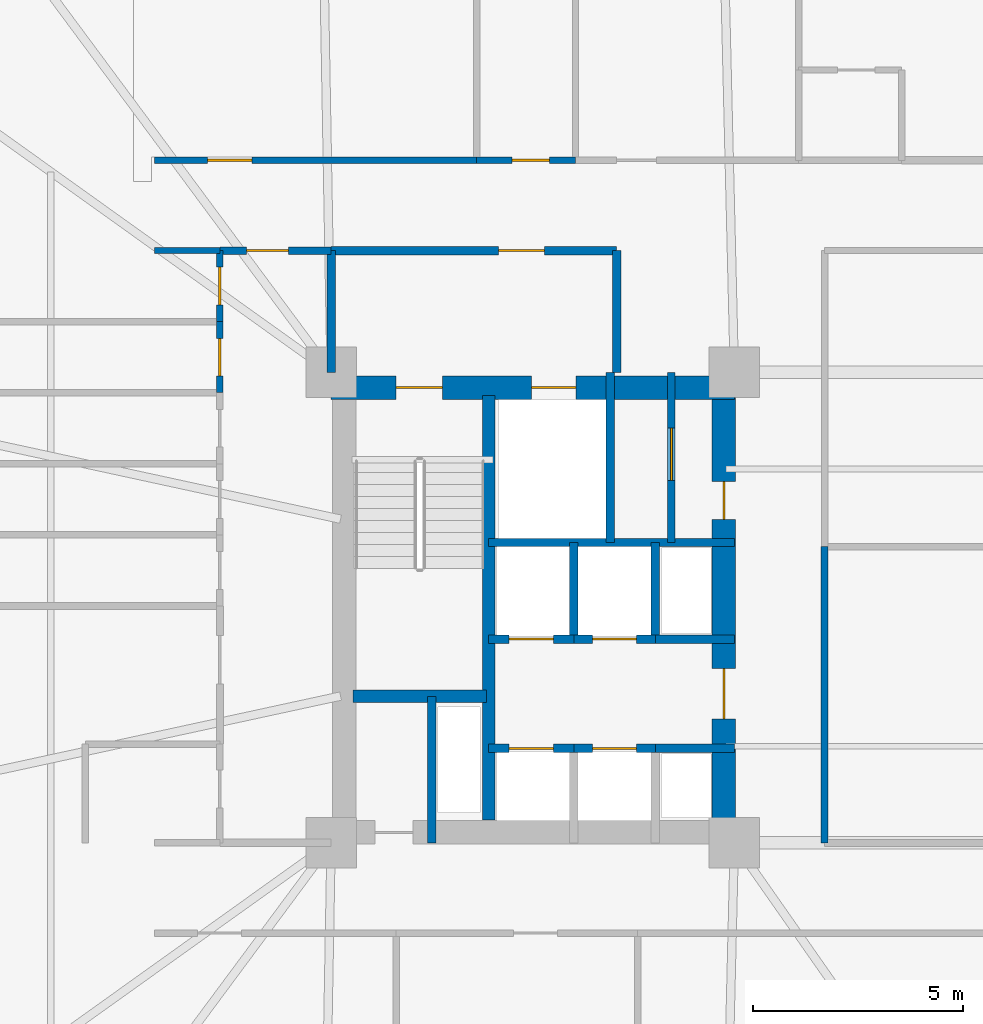
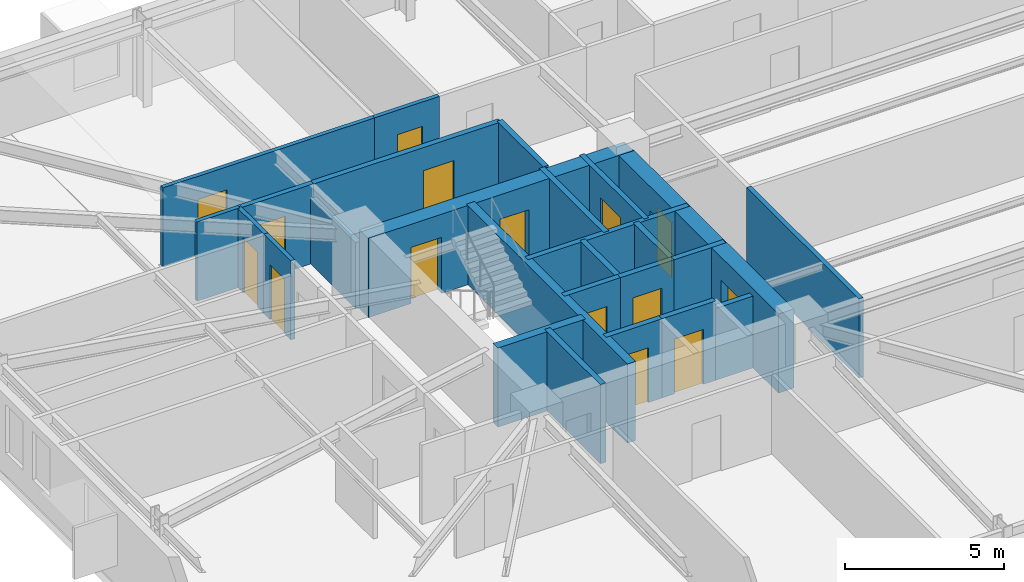
# One storey, part 19 of 26: 26 walls, 15 doors, 15 openings.
"""IFC4 building model written with IfcOpenShell, lengths in metres."""

from ifc_helpers import new_model, si_unit, direction, frame, frame_2d, origin, place, context, subcontext, project, spatial, rectangle, extrude, material, layer, layer_set, type_object, element, fill, save


model = new_model("IFC4")

# Units and contexts
model_context = context("Model", 3, precision=1e-05, world=origin(), true_north=direction((0.0, 1.0)))
body_context = subcontext(model_context, "Body", "Model", "MODEL_VIEW")
ifc_project = project(units=[si_unit("LENGTHUNIT", "METRE"), si_unit("AREAUNIT", "SQUARE_METRE"), si_unit("VOLUMEUNIT", "CUBIC_METRE"), si_unit("PLANEANGLEUNIT", "RADIAN"), si_unit("MASSUNIT", "GRAM", prefix="KILO")], contexts=[model_context])

# Site, building, storey
site_placement = place(None, origin())
site = spatial("IfcSite", under=ifc_project, at=site_placement, CompositionType="ELEMENT")
building_placement = place(site_placement, origin())
building = spatial("IfcBuilding", under=site, at=building_placement, Name="Qobustan Lattice House", CompositionType="ELEMENT")
storey_placement = place(building_placement, frame((0.0, 0.0, 47.10009765625)))
storey = spatial("IfcBuildingStorey", under=building, at=storey_placement, Name="L12", CompositionType="ELEMENT", Elevation=47.10009765625)

# Wall, openings, doors
ifc_material_1 = material(Name="Concrete C60/75", Category="concrete")
ifc_layer_1 = layer(ifc_material_1, 0.56005859375)
ifc_layer_set_1 = layer_set([ifc_layer_1], Name="Concrete C60/75")
wall_type_1 = type_object("IfcWallType", Name="WAL-CORE-600", PredefinedType="SHEAR", material=ifc_layer_set_1)
wall_1_placement = place(storey_placement, frame((-18.800048828125, 5.239990234375, 0.0), z_axis=(0.0, 0.0, 1.0), x_axis=(1.0, 0.0, 0.0)))
wall_1 = element("IfcWall", 1, at=wall_1_placement, inside=storey, type_object=wall_type_1, Name="L12 split-core shear wall CW-N", PredefinedType="SHEAR", context=body_context, shape_type="SweptSolid", body=[
    extrude(rectangle(XDim=9.60009765625, YDim=0.56005859375, at=frame_2d((4.800048828125, 0.0))), origin(), (0.0, 0.0, 1.0), 3.034912109375),
])
opening_1_placement = place(wall_1_placement, frame((1.550048828125, 0.0, 0.0)))
opening_1 = element("IfcOpeningElement", 2, at=opening_1_placement, cuts=wall_1, Name="Opening SD-01", PredefinedType="OPENING", context=body_context, shape_type="SweptSolid", body=[
    extrude(rectangle(XDim=1.10009765625, YDim=2.14990234375, at=frame_2d((0.550048828125, 1.074951171875))), frame((0.0, 0.2900390625, 0.0), z_axis=(0.0, -1.0, 0.0), x_axis=(1.0, 0.0, 0.0)), (0.0, 0.0, 1.0), 0.580078125),
])
opening_2_placement = place(wall_1_placement, frame((4.77490234375, 0.0, 0.0)))
opening_2 = element("IfcOpeningElement", 3, at=opening_2_placement, cuts=wall_1, Name="Opening LD-01", PredefinedType="OPENING", context=body_context, shape_type="SweptSolid", body=[
    extrude(rectangle(XDim=1.050048828125, YDim=2.10009765625, at=frame_2d((0.52490234375, 1.050048828125))), frame((0.0, 0.2900390625, 0.0), z_axis=(0.0, -1.0, 0.0), x_axis=(1.0, 0.0, 0.0)), (0.0, 0.0, 1.0), 0.580078125),
])
ifc_material_2 = material(Name="Persian walnut timber and steel frame door", Category="steel")
door_type_1 = type_object("IfcDoorType", Name="DOR-LIFT-LD-1050x2100", OperationType="NOTDEFINED", PredefinedType="DOOR", material=ifc_material_2)
door_1_placement = place(opening_2_placement, origin())
door_1 = element("IfcDoor", 4, at=door_1_placement, inside=storey, type_object=door_type_1, Name="L12 firefighting lift FF-W landing door", OperationType="DOUBLE_DOOR_SLIDING", OverallHeight=2.10009765625, OverallWidth=1.050048828125, PredefinedType="DOOR", context=body_context, shape_type="SweptSolid", body=[
    extrude(rectangle(XDim=1.050048828125, YDim=2.10009765625, at=frame_2d((0.52490234375, 1.050048828125))), frame((0.0, 0.02490234375, 0.0), z_axis=(0.0, -1.0, 0.0), x_axis=(1.0, 0.0, 0.0)), (0.0, 0.0, 1.0), 0.050048828125),
])
fill(opening_2, door_1)
ifc_material_3 = material(Name="Persian walnut timber and steel frame door", Category="steel")
door_type_2 = type_object("IfcDoorType", Name="DOR-STAIR-FD-1100x2150", OperationType="NOTDEFINED", PredefinedType="DOOR", material=ifc_material_3)
door_2_placement = place(opening_1_placement, origin())
door_2 = element("IfcDoor", 5, at=door_2_placement, inside=storey, type_object=door_type_2, Name="L12 exit stair ST-W1 fire door", OperationType="SINGLE_SWING_RIGHT", OverallHeight=2.14990234375, OverallWidth=1.10009765625, PredefinedType="DOOR", context=body_context, shape_type="SweptSolid", body=[
    extrude(rectangle(XDim=1.10009765625, YDim=2.14990234375, at=frame_2d((0.550048828125, 1.074951171875))), frame((0.0, 0.02490234375, 0.0), z_axis=(0.0, -1.0, 0.0), x_axis=(1.0, 0.0, 0.0)), (0.0, 0.0, 1.0), 0.050048828125),
])
fill(opening_1, door_2)

wall_2_placement = place(storey_placement, frame((-9.449951171875, -5.050048828125, 0.0), z_axis=(0.0, 0.0, 1.0), x_axis=(0.0, 1.0, 0.0)))
wall_2 = element("IfcWall", 6, at=wall_2_placement, inside=storey, type_object=wall_type_1, Name="L12 split-core shear wall CW-E", PredefinedType="SHEAR", context=body_context, shape_type="SweptSolid", body=[
    extrude(rectangle(XDim=10.10009765625, YDim=0.56005859375, at=frame_2d((5.050048828125, 0.0))), origin(), (0.0, 0.0, 1.0), 3.034912109375),
])
opening_3_placement = place(wall_2_placement, frame((7.14990234375, 0.0, 0.0)))
opening_3 = element("IfcOpeningElement", 7, at=opening_3_placement, cuts=wall_2, Name="Opening RD-01", PredefinedType="OPENING", context=body_context, shape_type="SweptSolid", body=[
    extrude(rectangle(XDim=0.89990234375, YDim=2.10009765625, at=frame_2d((0.449951171875, 1.050048828125))), frame((0.0, 0.2900390625, 0.0), z_axis=(0.0, -1.0, 0.0), x_axis=(1.0, 0.0, 0.0)), (0.0, 0.0, 1.0), 0.580078125),
])
opening_4_placement = place(wall_2_placement, frame((2.39990234375, 0.0, 0.0)))
opening_4 = element("IfcOpeningElement", 8, at=opening_4_placement, cuts=wall_2, Name="Opening FD-01", PredefinedType="OPENING", context=body_context, shape_type="SweptSolid", body=[
    extrude(rectangle(XDim=1.199951171875, YDim=2.14990234375, at=frame_2d((0.60009765625, 1.074951171875))), frame((0.0, 0.2900390625, 0.0), z_axis=(0.0, -1.0, 0.0), x_axis=(1.0, 0.0, 0.0)), (0.0, 0.0, 1.0), 0.580078125),
])
ifc_material_4 = material(Name="Persian walnut timber and steel frame door", Category="steel")
door_type_3 = type_object("IfcDoorType", Name="DOR-LOBBY-FD-1200x2150", OperationType="NOTDEFINED", PredefinedType="DOOR", material=ifc_material_4)
door_3_placement = place(opening_4_placement, origin())
door_3 = element("IfcDoor", 9, at=door_3_placement, inside=storey, type_object=door_type_3, Name="L12 West passenger lift lobby fire door", OperationType="SINGLE_SWING_LEFT", OverallHeight=2.14990234375, OverallWidth=1.199951171875, PredefinedType="DOOR", context=body_context, shape_type="SweptSolid", body=[
    extrude(rectangle(XDim=1.199951171875, YDim=2.14990234375, at=frame_2d((0.60009765625, 1.074951171875))), frame((0.0, 0.02490234375, 0.0), z_axis=(0.0, -1.0, 0.0), x_axis=(1.0, 0.0, 0.0)), (0.0, 0.0, 1.0), 0.050048828125),
])
fill(opening_4, door_3)
ifc_material_5 = material(Name="Persian walnut timber and steel frame door", Category="steel")
door_type_4 = type_object("IfcDoorType", Name="DOR-RISER-FD-900x2100", OperationType="NOTDEFINED", PredefinedType="DOOR", material=ifc_material_5)
door_4_placement = place(opening_3_placement, origin())
door_4 = element("IfcDoor", 10, at=door_4_placement, inside=storey, type_object=door_type_4, Name="L12 Data comms closet fire door", OperationType="SINGLE_SWING_RIGHT", OverallHeight=2.10009765625, OverallWidth=0.89990234375, PredefinedType="DOOR", context=body_context, shape_type="SweptSolid", body=[
    extrude(rectangle(XDim=0.89990234375, YDim=2.10009765625, at=frame_2d((0.449951171875, 1.050048828125))), frame((0.0, 0.02490234375, 0.0), z_axis=(0.0, -1.0, 0.0), x_axis=(1.0, 0.0, 0.0)), (0.0, 0.0, 1.0), 0.050048828125),
])
fill(opening_3, door_4)

# Walls
ifc_material_6 = material(Name="Concrete C50/60", Category="concrete")
ifc_layer_2 = layer(ifc_material_6, 0.280029296875)
ifc_layer_set_2 = layer_set([ifc_layer_2], Name="Concrete C50/60")
wall_type_2 = type_object("IfcWallType", Name="WAL-CORE-SPINE-280", PredefinedType="SHEAR", material=ifc_layer_set_2)
wall_3_placement = place(storey_placement, frame((-15.050048828125, -5.050048828125, 0.0), z_axis=(0.0, 0.0, 1.0), x_axis=(0.0, 1.0, 0.0)))
element("IfcWall", 11, at=wall_3_placement, inside=storey, type_object=wall_type_2, Name="L12 split-core shear wall CW-M", PredefinedType="SHEAR", context=body_context, shape_type="SweptSolid", body=[
    extrude(rectangle(XDim=10.10009765625, YDim=0.300048828125, at=frame_2d((5.050048828125, 0.0))), origin(), (0.0, 0.0, 1.0), 3.034912109375),
])
wall_4_placement = place(storey_placement, frame((-18.280029296875, -2.110107421875, 0.0), z_axis=(0.0, 0.0, 1.0), x_axis=(1.0, 0.0, 0.0)))
element("IfcWall", 12, at=wall_4_placement, inside=storey, type_object=wall_type_2, Name="L12 split-core shear wall CW-ST", PredefinedType="SHEAR", context=body_context, shape_type="SweptSolid", body=[
    extrude(rectangle(XDim=3.179931640625, YDim=0.300048828125, at=frame_2d((1.58984375, 0.0))), origin(), (0.0, 0.0, 1.0), 3.034912109375),
])

# Wall, opening, door
ifc_material_7 = material(Name="Gypsum fireboard acoustic partition", Category="gypsum")
ifc_layer_3 = layer(ifc_material_7, 0.179931640625)
ifc_layer_set_3 = layer_set([ifc_layer_3], Name="Gypsum fireboard acoustic partition")
wall_type_3 = type_object("IfcWallType", Name="WAL-FIRE-180", PredefinedType="PARTITIONING", material=ifc_layer_set_3)
wall_5_placement = place(storey_placement, frame((-10.699951171875, 5.60009765625, 0.0), z_axis=(0.0, 0.0, 1.0), x_axis=(0.0, -1.0, 0.0)))
wall_5 = element("IfcWall", 13, at=wall_5_placement, inside=storey, type_object=wall_type_3, Name="L12 interior partition 6", PredefinedType="PARTITIONING", context=body_context, shape_type="SweptSolid", body=[
    extrude(rectangle(XDim=4.050048828125, YDim=0.179931640625, at=frame_2d((2.02490234375, 0.0))), origin(), (0.0, 0.0, 1.0), 3.034912109375),
])
opening_5_placement = place(wall_5_placement, frame((1.324951171875, 0.0, 0.0)))
opening_5 = element("IfcOpeningElement", 14, at=opening_5_placement, cuts=wall_5, Name="Opening FD-03", PredefinedType="OPENING", context=body_context, shape_type="SweptSolid", body=[
    extrude(rectangle(XDim=1.25, YDim=2.199951171875, at=frame_2d((0.625, 1.10009765625))), frame((0.0, 0.099853515625, 0.0), z_axis=(0.0, -1.0, 0.0), x_axis=(1.0, 0.0, 0.0)), (0.0, 0.0, 1.0), 0.199951171875),
])
ifc_material_8 = material(Name="Persian walnut timber and steel frame door", Category="steel")
door_type_5 = type_object("IfcDoorType", Name="DOR-PLANT-1250x2200", OperationType="NOTDEFINED", PredefinedType="DOOR", material=ifc_material_8)
door_5_placement = place(opening_5_placement, origin())
door_5 = element("IfcDoor", 15, at=door_5_placement, inside=storey, type_object=door_type_5, Name="L12 Data comms closet to Linen store door", OperationType="SINGLE_SWING_LEFT", OverallHeight=2.199951171875, OverallWidth=1.25, PredefinedType="DOOR", context=body_context, shape_type="SweptSolid", body=[
    extrude(rectangle(XDim=1.25, YDim=2.199951171875, at=frame_2d((0.625, 1.10009765625))), frame((0.0, 0.02490234375, 0.0), z_axis=(0.0, -1.0, 0.0), x_axis=(1.0, 0.0, 0.0)), (0.0, 0.0, 1.0), 0.050048828125),
])
fill(opening_5, door_5)

wall_6_placement = place(storey_placement, frame((-18.800048828125, 8.5, 0.0), z_axis=(0.0, 0.0, 1.0), x_axis=(-1.0, 0.0, 0.0)))
wall_6 = element("IfcWall", 16, at=wall_6_placement, inside=storey, type_object=wall_type_3, Name="L12 interior partition 38", PredefinedType="PARTITIONING", context=body_context, shape_type="SweptSolid", body=[
    extrude(rectangle(XDim=2.64990234375, YDim=0.179931640625, at=frame_2d((1.324951171875, 0.0))), origin(), (0.0, 0.0, 1.0), 3.034912109375),
])
opening_6_placement = place(wall_6_placement, frame((1.0087890625, 0.0, 0.0)))
opening_6 = element("IfcOpeningElement", 17, at=opening_6_placement, cuts=wall_6, Name="Opening FD-02", PredefinedType="OPENING", context=body_context, shape_type="SweptSolid", body=[
    extrude(rectangle(XDim=1.0, YDim=2.14990234375, at=frame_2d((0.5, 1.074951171875))), frame((0.0, 0.099853515625, 0.0), z_axis=(0.0, -1.0, 0.0), x_axis=(1.0, 0.0, 0.0)), (0.0, 0.0, 1.0), 0.199951171875),
])
ifc_material_9 = material(Name="Persian walnut timber and steel frame door", Category="steel")
door_type_6 = type_object("IfcDoorType", Name="DOR-UNIT-FD-1000x2150", OperationType="NOTDEFINED", PredefinedType="DOOR", material=ifc_material_9)
door_6_placement = place(opening_6_placement, origin())
door_6 = element("IfcDoor", 18, at=door_6_placement, inside=storey, type_object=door_type_6, Name="L12 North-west floor corridor to Residence entrance hall L12W door", OperationType="SINGLE_SWING_RIGHT", OverallHeight=2.14990234375, OverallWidth=1.0, PredefinedType="DOOR", context=body_context, shape_type="SweptSolid", body=[
    extrude(rectangle(XDim=1.0, YDim=2.14990234375, at=frame_2d((0.5, 1.074951171875))), frame((0.0, 0.02490234375, 0.0), z_axis=(0.0, -1.0, 0.0), x_axis=(1.0, 0.0, 0.0)), (0.0, 0.0, 1.0), 0.050048828125),
])
fill(opening_6, door_6)

# Wall
ifc_material_10 = material(Name="Acoustic twin-stud gypsum partition", Category="gypsum")
ifc_layer_4 = layer(ifc_material_10, 0.14990234375)
ifc_layer_set_4 = layer_set([ifc_layer_4], Name="Acoustic twin-stud gypsum partition")
wall_type_4 = type_object("IfcWallType", Name="WAL-PART-150", PredefinedType="PARTITIONING", material=ifc_layer_set_4)
wall_7_placement = place(storey_placement, frame((-21.449951171875, 8.5, 0.0), z_axis=(0.0, 0.0, 1.0), x_axis=(-1.0, 0.0, 0.0)))
element("IfcWall", 19, at=wall_7_placement, inside=storey, type_object=wall_type_4, Name="L12 interior partition 39", PredefinedType="PARTITIONING", context=body_context, shape_type="SweptSolid", body=[
    extrude(rectangle(XDim=1.550048828125, YDim=0.14990234375, at=frame_2d((0.77490234375, 0.0))), origin(), (0.0, 0.0, 1.0), 3.034912109375),
])

# Wall, opening, door
wall_8_placement = place(storey_placement, frame((-23.0, 10.64990234375, 0.0), z_axis=(0.0, 0.0, 1.0), x_axis=(1.0, 0.0, 0.0)))
wall_8 = element("IfcWall", 20, at=wall_8_placement, inside=storey, type_object=wall_type_4, Name="L12 interior partition 40", PredefinedType="PARTITIONING", context=body_context, shape_type="SweptSolid", body=[
    extrude(rectangle(XDim=7.6669921875, YDim=0.14990234375, at=frame_2d((3.83349609375, 0.0))), origin(), (0.0, 0.0, 1.0), 3.034912109375),
])
opening_7_placement = place(wall_8_placement, frame((1.26220703125, 0.0, 0.0)))
opening_7 = element("IfcOpeningElement", 21, at=opening_7_placement, cuts=wall_8, Name="Opening ID-02", PredefinedType="OPENING", context=body_context, shape_type="SweptSolid", body=[
    extrude(rectangle(XDim=1.050048828125, YDim=2.14990234375, at=frame_2d((0.52490234375, 1.074951171875))), frame((0.0, 0.0849609375, 0.0), z_axis=(0.0, -1.0, 0.0), x_axis=(1.0, 0.0, 0.0)), (0.0, 0.0, 1.0), 0.169921875),
])
ifc_material_11 = material(Name="Persian walnut timber and steel frame door", Category="steel")
door_type_7 = type_object("IfcDoorType", Name="DOR-STUDY-1050x2150", OperationType="NOTDEFINED", PredefinedType="DOOR", material=ifc_material_11)
door_7_placement = place(opening_7_placement, origin())
door_7 = element("IfcDoor", 22, at=door_7_placement, inside=storey, type_object=door_type_7, Name="L12 North-west floor corridor to Focus study room N1 door", OperationType="SINGLE_SWING_LEFT", OverallHeight=2.14990234375, OverallWidth=1.050048828125, PredefinedType="DOOR", context=body_context, shape_type="SweptSolid", body=[
    extrude(rectangle(XDim=1.050048828125, YDim=2.14990234375, at=frame_2d((0.52490234375, 1.074951171875))), frame((0.0, 0.02490234375, 0.0), z_axis=(0.0, -1.0, 0.0), x_axis=(1.0, 0.0, 0.0)), (0.0, 0.0, 1.0), 0.050048828125),
])
fill(opening_7, door_7)

wall_9_placement = place(storey_placement, frame((-21.449951171875, 5.115966796875, 0.0), z_axis=(0.0, 0.0, 1.0), x_axis=(0.0, 1.0, 0.0)))
wall_9 = element("IfcWall", 23, at=wall_9_placement, inside=storey, type_object=wall_type_4, Name="L12 interior partition 75", PredefinedType="PARTITIONING", context=body_context, shape_type="SweptSolid", body=[
    extrude(rectangle(XDim=1.692138671875, YDim=0.14990234375, at=frame_2d((0.84619140625, 0.0))), origin(), (0.0, 0.0, 1.0), 3.034912109375),
])
opening_8_placement = place(wall_9_placement, frame((0.39599609375, 0.0, 0.0)))
opening_8 = element("IfcOpeningElement", 24, at=opening_8_placement, cuts=wall_9, Name="Opening WD-01", PredefinedType="OPENING", context=body_context, shape_type="SweptSolid", body=[
    extrude(rectangle(XDim=0.89990234375, YDim=2.10009765625, at=frame_2d((0.449951171875, 1.050048828125))), frame((0.0, 0.0849609375, 0.0), z_axis=(0.0, -1.0, 0.0), x_axis=(1.0, 0.0, 0.0)), (0.0, 0.0, 1.0), 0.169921875),
])
ifc_material_12 = material(Name="Persian walnut timber and steel frame door", Category="steel")
door_type_8 = type_object("IfcDoorType", Name="DOR-WET-900x2100", OperationType="NOTDEFINED", PredefinedType="DOOR", material=ifc_material_12)
door_8_placement = place(opening_8_placement, origin())
door_8 = element("IfcDoor", 25, at=door_8_placement, inside=storey, type_object=door_type_8, Name="L12 Residence entrance hall L12W to Cluster bedroom L12W4 door", OperationType="SINGLE_SWING_RIGHT", OverallHeight=2.10009765625, OverallWidth=0.89990234375, PredefinedType="DOOR", context=body_context, shape_type="SweptSolid", body=[
    extrude(rectangle(XDim=0.89990234375, YDim=2.10009765625, at=frame_2d((0.449951171875, 1.050048828125))), frame((0.0, 0.02490234375, 0.0), z_axis=(0.0, -1.0, 0.0), x_axis=(1.0, 0.0, 0.0)), (0.0, 0.0, 1.0), 0.050048828125),
])
fill(opening_8, door_8)

wall_10_placement = place(storey_placement, frame((-21.449951171875, 6.80810546875, 0.0), z_axis=(0.0, 0.0, 1.0), x_axis=(0.0, 1.0, 0.0)))
wall_10 = element("IfcWall", 26, at=wall_10_placement, inside=storey, type_object=wall_type_4, Name="L12 interior partition 76", PredefinedType="PARTITIONING", context=body_context, shape_type="SweptSolid", body=[
    extrude(rectangle(XDim=1.69189453125, YDim=0.14990234375, at=frame_2d((0.845947265625, 0.0))), origin(), (0.0, 0.0, 1.0), 3.034912109375),
])
opening_9_placement = place(wall_10_placement, frame((0.39599609375, 0.0, 0.0)))
opening_9 = element("IfcOpeningElement", 27, at=opening_9_placement, cuts=wall_10, Name="Opening WD-01", PredefinedType="OPENING", context=body_context, shape_type="SweptSolid", body=[
    extrude(rectangle(XDim=0.89990234375, YDim=2.10009765625, at=frame_2d((0.449951171875, 1.050048828125))), frame((0.0, 0.0849609375, 0.0), z_axis=(0.0, -1.0, 0.0), x_axis=(1.0, 0.0, 0.0)), (0.0, 0.0, 1.0), 0.169921875),
])
door_9_placement = place(opening_9_placement, origin())
door_9 = element("IfcDoor", 28, at=door_9_placement, inside=storey, type_object=door_type_8, Name="L12 Residence entrance hall L12W to Cluster bedroom L12W5 door", OperationType="SINGLE_SWING_LEFT", OverallHeight=2.10009765625, OverallWidth=0.89990234375, PredefinedType="DOOR", context=body_context, shape_type="SweptSolid", body=[
    extrude(rectangle(XDim=0.89990234375, YDim=2.10009765625, at=frame_2d((0.449951171875, 1.050048828125))), frame((0.0, 0.02490234375, 0.0), z_axis=(0.0, -1.0, 0.0), x_axis=(1.0, 0.0, 0.0)), (0.0, 0.0, 1.0), 0.050048828125),
])
fill(opening_9, door_9)

# Wall
ifc_material_13 = material(Name="High-mass acoustic twin-stud partition", Category="gypsum")
ifc_layer_5 = layer(ifc_material_13, 0.1650390625)
ifc_layer_set_5 = layer_set([ifc_layer_5], Name="High-mass acoustic twin-stud partition")
wall_type_5 = type_object("IfcWallType", Name="WAL-PART-165", PredefinedType="PARTITIONING", material=ifc_layer_set_5)
wall_11_placement = place(storey_placement, frame((-7.050048828125, 1.449951171875, 0.0), z_axis=(0.0, 0.0, 1.0), x_axis=(0.0, -1.0, 0.0)))
element("IfcWall", 29, at=wall_11_placement, inside=storey, type_object=wall_type_5, Name="L12 interior partition 66", PredefinedType="PARTITIONING", context=body_context, shape_type="SweptSolid", body=[
    extrude(rectangle(XDim=7.050048828125, YDim=0.1650390625, at=frame_2d((3.52490234375, 0.0))), origin(), (0.0, 0.0, 1.0), 3.034912109375),
])

# Wall, opening, door
ifc_material_14 = material(Name="Two-hour gypsum fireboard acoustic partition", Category="gypsum")
ifc_layer_6 = layer(ifc_material_14, 0.199951171875)
ifc_layer_set_6 = layer_set([ifc_layer_6], Name="Two-hour gypsum fireboard acoustic partition")
wall_type_6 = type_object("IfcWallType", Name="WAL-PROT-200", PredefinedType="PARTITIONING", material=ifc_layer_set_6)
wall_12_placement = place(storey_placement, frame((-12.0, 8.5, 0.0), z_axis=(0.0, 0.0, 1.0), x_axis=(-1.0, 0.0, 0.0)))
wall_12 = element("IfcWall", 30, at=wall_12_placement, inside=storey, type_object=wall_type_6, Name="L12 interior partition 3", PredefinedType="PARTITIONING", context=body_context, shape_type="SweptSolid", body=[
    extrude(rectangle(XDim=6.800048828125, YDim=0.199951171875, at=frame_2d((3.39990234375, 0.0))), origin(), (0.0, 0.0, 1.0), 3.034912109375),
])
opening_10_placement = place(wall_12_placement, frame((1.715087890625, 0.0, 0.0)))
opening_10 = element("IfcOpeningElement", 31, at=opening_10_placement, cuts=wall_12, Name="Opening SD-01", PredefinedType="OPENING", context=body_context, shape_type="SweptSolid", body=[
    extrude(rectangle(XDim=1.10009765625, YDim=2.14990234375, at=frame_2d((0.550048828125, 1.074951171875))), frame((0.0, 0.10986328125, 0.0), z_axis=(0.0, -1.0, 0.0), x_axis=(1.0, 0.0, 0.0)), (0.0, 0.0, 1.0), 0.219970703125),
])
door_10_placement = place(opening_10_placement, origin())
door_10 = element("IfcDoor", 32, at=door_10_placement, inside=storey, type_object=door_type_2, Name="L12 West firefighting lift lobby to North-west floor corridor door", OperationType="SINGLE_SWING_RIGHT", OverallHeight=2.14990234375, OverallWidth=1.10009765625, PredefinedType="DOOR", context=body_context, shape_type="SweptSolid", body=[
    extrude(rectangle(XDim=1.10009765625, YDim=2.14990234375, at=frame_2d((0.550048828125, 1.074951171875))), frame((0.0, 0.02490234375, 0.0), z_axis=(0.0, -1.0, 0.0), x_axis=(1.0, 0.0, 0.0)), (0.0, 0.0, 1.0), 0.050048828125),
])
fill(opening_10, door_10)

# Walls
wall_13_placement = place(storey_placement, frame((-12.0, 5.60009765625, 0.0), z_axis=(0.0, 0.0, 1.0), x_axis=(0.0, 1.0, 0.0)))
element("IfcWall", 33, at=wall_13_placement, inside=storey, type_object=wall_type_6, Name="L12 interior partition 4", PredefinedType="PARTITIONING", context=body_context, shape_type="SweptSolid", body=[
    extrude(rectangle(XDim=2.89990234375, YDim=0.199951171875, at=frame_2d((1.449951171875, 0.0))), origin(), (0.0, 0.0, 1.0), 3.034912109375),
])
wall_14_placement = place(storey_placement, frame((-18.800048828125, 8.5, 0.0), z_axis=(0.0, 0.0, 1.0), x_axis=(0.0, -1.0, 0.0)))
element("IfcWall", 34, at=wall_14_placement, inside=storey, type_object=wall_type_6, Name="L12 interior partition 5", PredefinedType="PARTITIONING", context=body_context, shape_type="SweptSolid", body=[
    extrude(rectangle(XDim=2.89990234375, YDim=0.199951171875, at=frame_2d((1.449951171875, 0.0))), origin(), (0.0, 0.0, 1.0), 2.52001953125),
])
ifc_material_15 = material(Name="Concrete C40/50", Category="concrete")
ifc_layer_7 = layer(ifc_material_15, 0.199951171875)
ifc_layer_set_7 = layer_set([ifc_layer_7], Name="Concrete C40/50")
wall_type_7 = type_object("IfcWallType", Name="WAL-SHAFT-200", PredefinedType="PARTITIONING", material=ifc_layer_set_7)
wall_15_placement = place(storey_placement, frame((-16.39990234375, -5.60009765625, 0.0), z_axis=(0.0, 0.0, 1.0), x_axis=(0.0, 1.0, 0.0)))
element("IfcWall", 35, at=wall_15_placement, inside=storey, type_object=wall_type_7, Name="L12 interior partition 1", PredefinedType="PARTITIONING", context=body_context, shape_type="SweptSolid", body=[
    extrude(rectangle(XDim=3.489990234375, YDim=0.199951171875, at=frame_2d((1.7451171875, 0.0))), origin(), (0.0, 0.0, 1.0), 3.034912109375),
])
wall_16_placement = place(storey_placement, frame((-12.14990234375, 1.550048828125, 0.0), z_axis=(0.0, 0.0, 1.0), x_axis=(0.0, 1.0, 0.0)))
element("IfcWall", 36, at=wall_16_placement, inside=storey, type_object=wall_type_7, Name="L12 interior partition 2", PredefinedType="PARTITIONING", context=body_context, shape_type="SweptSolid", body=[
    extrude(rectangle(XDim=4.050048828125, YDim=0.199951171875, at=frame_2d((2.02490234375, 0.0))), origin(), (0.0, 0.0, 1.0), 3.034912109375),
])

# Wall, opening, door
wall_17_placement = place(storey_placement, frame((-15.050048828125, -3.35009765625, 0.0), z_axis=(0.0, 0.0, 1.0), x_axis=(1.0, 0.0, 0.0)))
wall_17 = element("IfcWall", 37, at=wall_17_placement, inside=storey, type_object=wall_type_7, Name="L12 interior partition 8", PredefinedType="PARTITIONING", context=body_context, shape_type="SweptSolid", body=[
    extrude(rectangle(XDim=2.030029296875, YDim=0.199951171875, at=frame_2d((1.01513671875, 0.0))), origin(), (0.0, 0.0, 1.0), 3.034912109375),
])
opening_11_placement = place(wall_17_placement, frame((0.489990234375, 0.0, 0.0)))
opening_11 = element("IfcOpeningElement", 38, at=opening_11_placement, cuts=wall_17, Name="Opening LD-01", PredefinedType="OPENING", context=body_context, shape_type="SweptSolid", body=[
    extrude(rectangle(XDim=1.050048828125, YDim=2.10009765625, at=frame_2d((0.52490234375, 1.050048828125))), frame((0.0, 0.10986328125, 0.0), z_axis=(0.0, -1.0, 0.0), x_axis=(1.0, 0.0, 0.0)), (0.0, 0.0, 1.0), 0.219970703125),
])
door_11_placement = place(opening_11_placement, origin())
door_11 = element("IfcDoor", 39, at=door_11_placement, inside=storey, type_object=door_type_1, Name="L12 lift landing door", OperationType="DOUBLE_DOOR_SLIDING", OverallHeight=2.10009765625, OverallWidth=1.050048828125, PredefinedType="DOOR", context=body_context, shape_type="SweptSolid", body=[
    extrude(rectangle(XDim=1.050048828125, YDim=2.10009765625, at=frame_2d((0.52490234375, 1.050048828125))), frame((0.0, 0.02490234375, 0.0), z_axis=(0.0, -1.0, 0.0), x_axis=(1.0, 0.0, 0.0)), (0.0, 0.0, 1.0), 0.050048828125),
])
fill(opening_11, door_11)

wall_18_placement = place(storey_placement, frame((-13.02001953125, -3.35009765625, 0.0), z_axis=(0.0, 0.0, 1.0), x_axis=(1.0, 0.0, 0.0)))
wall_18 = element("IfcWall", 40, at=wall_18_placement, inside=storey, type_object=wall_type_7, Name="L12 interior partition 9", PredefinedType="PARTITIONING", context=body_context, shape_type="SweptSolid", body=[
    extrude(rectangle(XDim=1.93994140625, YDim=0.199951171875, at=frame_2d((0.969970703125, 0.0))), origin(), (0.0, 0.0, 1.0), 3.034912109375),
])
opening_12_placement = place(wall_18_placement, frame((0.445068359375, 0.0, 0.0)))
opening_12 = element("IfcOpeningElement", 41, at=opening_12_placement, cuts=wall_18, Name="Opening LD-01", PredefinedType="OPENING", context=body_context, shape_type="SweptSolid", body=[
    extrude(rectangle(XDim=1.050048828125, YDim=2.10009765625, at=frame_2d((0.52490234375, 1.050048828125))), frame((0.0, 0.10986328125, 0.0), z_axis=(0.0, -1.0, 0.0), x_axis=(1.0, 0.0, 0.0)), (0.0, 0.0, 1.0), 0.219970703125),
])
door_12_placement = place(opening_12_placement, origin())
door_12 = element("IfcDoor", 42, at=door_12_placement, inside=storey, type_object=door_type_1, Name="L12 lift landing door", OperationType="DOUBLE_DOOR_SLIDING", OverallHeight=2.10009765625, OverallWidth=1.050048828125, PredefinedType="DOOR", context=body_context, shape_type="SweptSolid", body=[
    extrude(rectangle(XDim=1.050048828125, YDim=2.10009765625, at=frame_2d((0.52490234375, 1.050048828125))), frame((0.0, 0.02490234375, 0.0), z_axis=(0.0, -1.0, 0.0), x_axis=(1.0, 0.0, 0.0)), (0.0, 0.0, 1.0), 0.050048828125),
])
fill(opening_12, door_12)

# Wall
wall_19_placement = place(storey_placement, frame((-11.080078125, -3.35009765625, 0.0), z_axis=(0.0, 0.0, 1.0), x_axis=(1.0, 0.0, 0.0)))
element("IfcWall", 43, at=wall_19_placement, inside=storey, type_object=wall_type_7, Name="L12 interior partition 10", PredefinedType="PARTITIONING", context=body_context, shape_type="SweptSolid", body=[
    extrude(rectangle(XDim=1.880126953125, YDim=0.199951171875, at=frame_2d((0.93994140625, 0.0))), origin(), (0.0, 0.0, 1.0), 2.75),
])

# Wall, opening, door
wall_20_placement = place(storey_placement, frame((-13.02001953125, -0.75, 0.0), z_axis=(0.0, 0.0, 1.0), x_axis=(-1.0, 0.0, 0.0)))
wall_20 = element("IfcWall", 44, at=wall_20_placement, inside=storey, type_object=wall_type_7, Name="L12 interior partition 11", PredefinedType="PARTITIONING", context=body_context, shape_type="SweptSolid", body=[
    extrude(rectangle(XDim=2.030029296875, YDim=0.199951171875, at=frame_2d((1.01513671875, 0.0))), origin(), (0.0, 0.0, 1.0), 3.034912109375),
])
opening_13_placement = place(wall_20_placement, frame((0.489990234375, 0.0, 0.0)))
opening_13 = element("IfcOpeningElement", 45, at=opening_13_placement, cuts=wall_20, Name="Opening LD-01", PredefinedType="OPENING", context=body_context, shape_type="SweptSolid", body=[
    extrude(rectangle(XDim=1.050048828125, YDim=2.10009765625, at=frame_2d((0.52490234375, 1.050048828125))), frame((0.0, 0.10986328125, 0.0), z_axis=(0.0, -1.0, 0.0), x_axis=(1.0, 0.0, 0.0)), (0.0, 0.0, 1.0), 0.219970703125),
])
door_13_placement = place(opening_13_placement, origin())
door_13 = element("IfcDoor", 46, at=door_13_placement, inside=storey, type_object=door_type_1, Name="L12 lift landing door", OperationType="DOUBLE_DOOR_SLIDING", OverallHeight=2.10009765625, OverallWidth=1.050048828125, PredefinedType="DOOR", context=body_context, shape_type="SweptSolid", body=[
    extrude(rectangle(XDim=1.050048828125, YDim=2.10009765625, at=frame_2d((0.52490234375, 1.050048828125))), frame((0.0, 0.02490234375, 0.0), z_axis=(0.0, -1.0, 0.0), x_axis=(1.0, 0.0, 0.0)), (0.0, 0.0, 1.0), 0.050048828125),
])
fill(opening_13, door_13)

wall_21_placement = place(storey_placement, frame((-11.080078125, -0.75, 0.0), z_axis=(0.0, 0.0, 1.0), x_axis=(-1.0, 0.0, 0.0)))
wall_21 = element("IfcWall", 47, at=wall_21_placement, inside=storey, type_object=wall_type_7, Name="L12 interior partition 12", PredefinedType="PARTITIONING", context=body_context, shape_type="SweptSolid", body=[
    extrude(rectangle(XDim=1.93994140625, YDim=0.199951171875, at=frame_2d((0.969970703125, 0.0))), origin(), (0.0, 0.0, 1.0), 3.034912109375),
])
opening_14_placement = place(wall_21_placement, frame((0.445068359375, 0.0, 0.0)))
opening_14 = element("IfcOpeningElement", 48, at=opening_14_placement, cuts=wall_21, Name="Opening LD-01", PredefinedType="OPENING", context=body_context, shape_type="SweptSolid", body=[
    extrude(rectangle(XDim=1.050048828125, YDim=2.10009765625, at=frame_2d((0.52490234375, 1.050048828125))), frame((0.0, 0.10986328125, 0.0), z_axis=(0.0, -1.0, 0.0), x_axis=(1.0, 0.0, 0.0)), (0.0, 0.0, 1.0), 0.219970703125),
])
door_14_placement = place(opening_14_placement, origin())
door_14 = element("IfcDoor", 49, at=door_14_placement, inside=storey, type_object=door_type_1, Name="L12 lift landing door", OperationType="DOUBLE_DOOR_SLIDING", OverallHeight=2.10009765625, OverallWidth=1.050048828125, PredefinedType="DOOR", context=body_context, shape_type="SweptSolid", body=[
    extrude(rectangle(XDim=1.050048828125, YDim=2.10009765625, at=frame_2d((0.52490234375, 1.050048828125))), frame((0.0, 0.02490234375, 0.0), z_axis=(0.0, -1.0, 0.0), x_axis=(1.0, 0.0, 0.0)), (0.0, 0.0, 1.0), 0.050048828125),
])
fill(opening_14, door_14)

# Walls
wall_22_placement = place(storey_placement, frame((-9.199951171875, -0.75, 0.0), z_axis=(0.0, 0.0, 1.0), x_axis=(-1.0, 0.0, 0.0)))
element("IfcWall", 50, at=wall_22_placement, inside=storey, type_object=wall_type_7, Name="L12 interior partition 13", PredefinedType="PARTITIONING", context=body_context, shape_type="SweptSolid", body=[
    extrude(rectangle(XDim=1.880126953125, YDim=0.199951171875, at=frame_2d((0.93994140625, 0.0))), origin(), (0.0, 0.0, 1.0), 3.034912109375),
])
for number, where, z_axis, x_axis, name in (
    (51, (-13.02001953125, -0.75, 0.0), (0.0, 0.0, 1.0), (0.0, 1.0, 0.0), "L12 interior partition 17"),
    (52, (-11.080078125, -0.75, 0.0), (0.0, 0.0, 1.0), (0.0, 1.0, 0.0), "L12 interior partition 18"),
):
    element("IfcWall", number, at=place(storey_placement, frame(where, z_axis=z_axis, x_axis=x_axis)), inside=storey, type_object=wall_type_7, Name=name, PredefinedType="PARTITIONING", context=body_context, shape_type="SweptSolid", body=[
        extrude(rectangle(XDim=2.300048828125, YDim=0.199951171875, at=frame_2d((1.14990234375, 0.0))), origin(), (0.0, 0.0, 1.0), 3.034912109375),
    ])
wall_23_placement = place(storey_placement, frame((-15.050048828125, 1.550048828125, 0.0), z_axis=(0.0, 0.0, 1.0), x_axis=(1.0, 0.0, 0.0)))
element("IfcWall", 53, at=wall_23_placement, inside=storey, type_object=wall_type_7, Name="L12 interior partition 119", PredefinedType="PARTITIONING", context=body_context, shape_type="SweptSolid", body=[
    extrude(rectangle(XDim=5.85009765625, YDim=0.199951171875, at=frame_2d((2.925048828125, 0.0))), origin(), (0.0, 0.0, 1.0), 3.034912109375),
])

# Wall, opening, door
ifc_material_16 = material(Name="Moisture-resistant acoustic plumbing wall", Category="gypsum")
ifc_layer_8 = layer(ifc_material_16, 0.14990234375)
ifc_layer_set_8 = layer_set([ifc_layer_8], Name="Moisture-resistant acoustic plumbing wall")
wall_type_8 = type_object("IfcWallType", Name="WAL-WET-150", PredefinedType="PLUMBINGWALL", material=ifc_layer_set_8)
wall_24_placement = place(storey_placement, frame((-15.3330078125, 10.64990234375, 0.0), z_axis=(0.0, 0.0, 1.0), x_axis=(1.0, 0.0, 0.0)))
wall_24 = element("IfcWall", 54, at=wall_24_placement, inside=storey, type_object=wall_type_8, Name="L12 interior partition 41", PredefinedType="PLUMBINGWALL", context=body_context, shape_type="SweptSolid", body=[
    extrude(rectangle(XDim=2.35009765625, YDim=0.14990234375, at=frame_2d((1.175048828125, 0.0))), origin(), (0.0, 0.0, 1.0), 3.034912109375),
])
opening_15_placement = place(wall_24_placement, frame((0.833740234375, 0.0, 0.0)))
opening_15 = element("IfcOpeningElement", 55, at=opening_15_placement, cuts=wall_24, Name="Opening WD-01", PredefinedType="OPENING", context=body_context, shape_type="SweptSolid", body=[
    extrude(rectangle(XDim=0.89990234375, YDim=2.10009765625, at=frame_2d((0.449951171875, 1.050048828125))), frame((0.0, 0.0849609375, 0.0), z_axis=(0.0, -1.0, 0.0), x_axis=(1.0, 0.0, 0.0)), (0.0, 0.0, 1.0), 0.169921875),
])
door_15_placement = place(opening_15_placement, origin())
door_15 = element("IfcDoor", 56, at=door_15_placement, inside=storey, type_object=door_type_8, Name="L12 North-west floor corridor to Accessible WC door", OperationType="SINGLE_SWING_RIGHT", OverallHeight=2.10009765625, OverallWidth=0.89990234375, PredefinedType="DOOR", context=body_context, shape_type="SweptSolid", body=[
    extrude(rectangle(XDim=0.89990234375, YDim=2.10009765625, at=frame_2d((0.449951171875, 1.050048828125))), frame((0.0, 0.02490234375, 0.0), z_axis=(0.0, -1.0, 0.0), x_axis=(1.0, 0.0, 0.0)), (0.0, 0.0, 1.0), 0.050048828125),
])
fill(opening_15, door_15)

save(model, "model.ifc")
